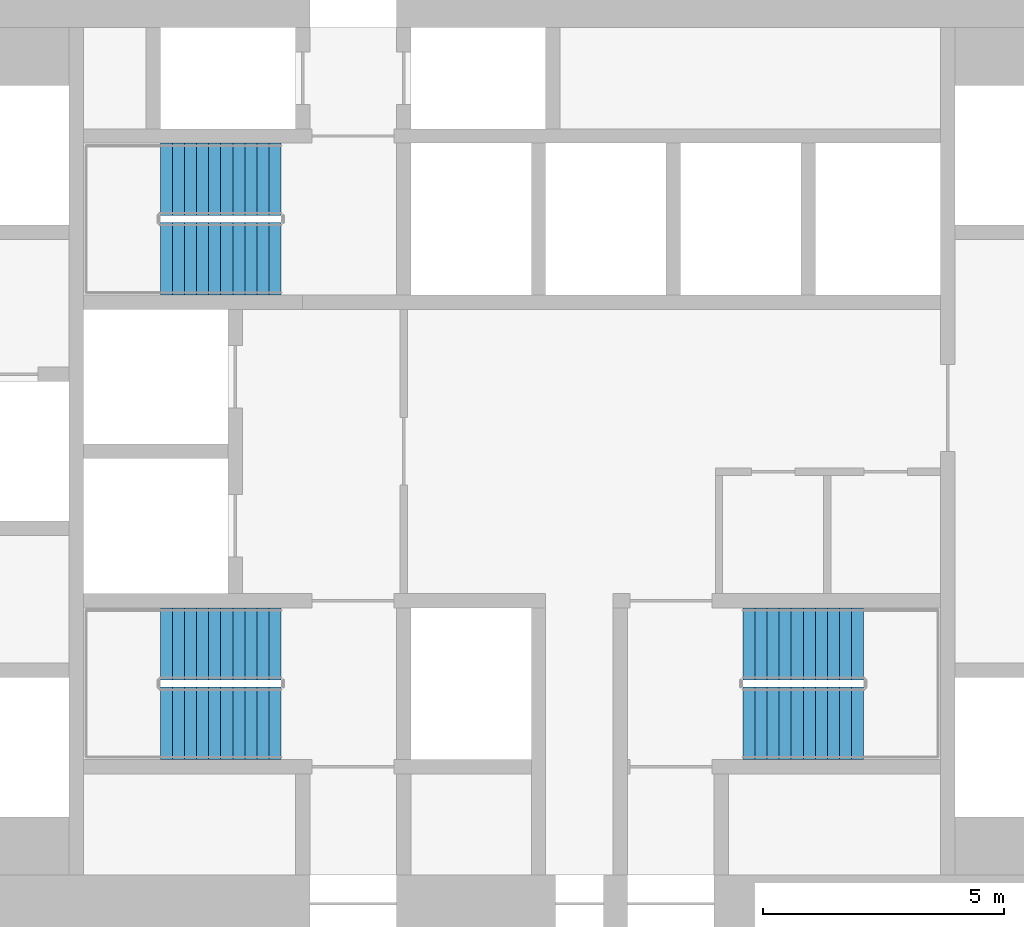
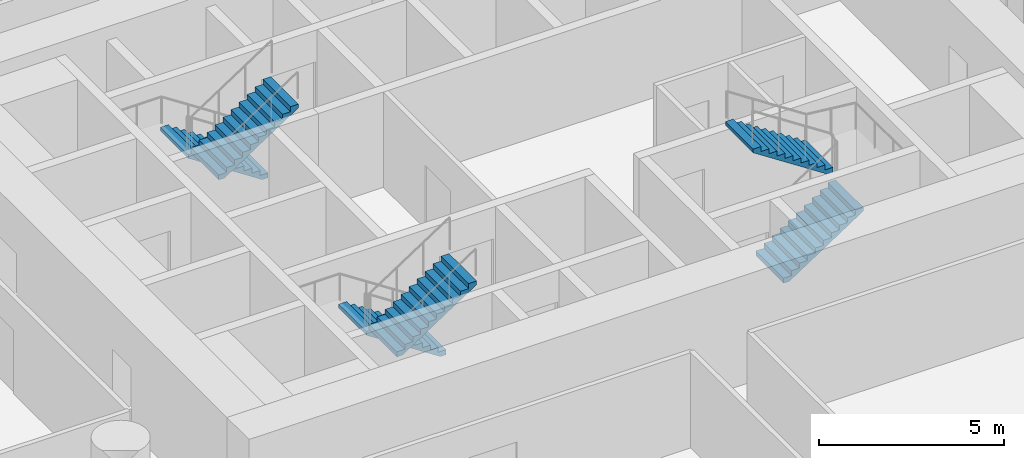
# One storey, part 11 of 12: 6 stair flights, 3 elements without a shape of their own.
"""IFC4 building model written with IfcOpenShell, lengths in metres."""

from ifc_helpers import new_model, si_unit, direction, frame, origin, place, context, subcontext, project, spatial, polyline, outline, extrude, material, type_object, element, aggregate, save


model = new_model("IFC4")

# Units and contexts
model_context = context("Model", 3, precision=1e-05, world=origin(), true_north=direction((0.0, 1.0)))
body_context = subcontext(model_context, "Body", "Model", "MODEL_VIEW")
ifc_project = project(units=[si_unit("LENGTHUNIT", "METRE"), si_unit("AREAUNIT", "SQUARE_METRE"), si_unit("VOLUMEUNIT", "CUBIC_METRE"), si_unit("PLANEANGLEUNIT", "RADIAN"), si_unit("MASSUNIT", "GRAM", prefix="KILO")], contexts=[model_context])

# Site, building, storey
site_placement = place(None, origin())
site = spatial("IfcSite", under=ifc_project, at=site_placement, CompositionType="ELEMENT")
building_placement = place(site_placement, origin())
building = spatial("IfcBuilding", under=site, at=building_placement, Name="Tracery Tower", CompositionType="ELEMENT")
storey_placement = place(building_placement, frame((0.0, 0.0, 35.39990234375)))
storey = spatial("IfcBuildingStorey", under=building, at=storey_placement, Name="L07", CompositionType="ELEMENT", Elevation=35.39990234375)

# Stair, stair flights
ifc_material_1 = material(Name="Concrete C32/40", Category="concrete")
stair_type = type_object("IfcStairType", Name="Core stair 22 risers", PredefinedType="HALF_TURN_STAIR", material=ifc_material_1)
stair_1_placement = place(storey_placement, origin())
stair_1 = element("IfcStair", 1, at=stair_1_placement, inside=storey, type_object=stair_type, Name="L07 stair ST1", PredefinedType="HALF_TURN_STAIR")
ifc_material_2 = material(Name="Concrete C32/40", Category="concrete")
stair_flight_type = type_object("IfcStairFlightType", Name="Core stair flight 11 risers", PredefinedType="STRAIGHT", material=ifc_material_2)
stair_flight_1_placement = place(storey_placement, frame((-4.800048828125, -4.0, 0.0), z_axis=(0.0, 0.0, 1.0), x_axis=(-1.0, 0.0, 0.0)))
stair_flight_1 = element("IfcStairFlight", 2, at=stair_flight_1_placement, type_object=stair_flight_type, Name="ST1 flight 1", NumberOfRisers=11, NumberOfTreads=10, PredefinedType="STRAIGHT", RiserHeight=0.163636364, TreadLength=0.25, context=body_context, shape_type="SweptSolid", body=[
    extrude(outline(polyline([(0.0, 0.0), (0.0, 0.002685546875), (0.0, 0.00537109375), (0.0, 0.008056640625), (0.0, 0.0107421875), (0.0, 0.013427734375), (0.0, 0.01611328125), (0.0, 0.018798828125), (0.0, 0.021484375), (0.0, 0.024169921875), (0.0, 0.02685546875), (0.0, 0.029541015625), (0.0, 0.0322265625), (0.0, 0.034912109375), (0.0, 0.03759765625), (0.0, 0.040283203125), (0.0, 0.04296875), (0.0, 0.045654296875), (0.0, 0.04833984375), (0.0, 0.051025390625), (0.0, 0.0537109375), (0.0, 0.056396484375), (0.0, 0.05908203125), (0.0, 0.061767578125), (0.0, 0.064453125), (0.0, 0.067138671875), (0.0, 0.06982421875), (0.0, 0.072509765625), (0.0, 0.0751953125), (0.0, 0.077880859375), (0.0, 0.08056640625), (0.0, 0.083251953125), (0.0, 0.0859375), (0.0, 0.088623046875), (0.0, 0.09130859375), (0.0, 0.093994140625), (0.0, 0.0966796875), (0.0, 0.099365234375), (0.0, 0.10205078125), (0.0, 0.104736328125), (0.0, 0.107421875), (0.0, 0.10986328125), (0.0, 0.112548828125), (0.0, 0.115234375), (0.0, 0.117919921875), (0.0, 0.12060546875), (0.0, 0.123291015625), (0.0, 0.1259765625), (0.0, 0.128662109375), (0.0, 0.13134765625), (0.0, 0.134033203125), (0.0, 0.13671875), (0.0, 0.139404296875), (0.0, 0.14208984375), (0.0, 0.144775390625), (0.0, 0.1474609375), (0.0, 0.150146484375), (0.0, 0.15283203125), (0.0, 0.155517578125), (0.0, 0.158203125), (0.0, 0.160888671875), (0.0, 0.16357421875), (0.25, 0.16357421875), (0.25, 0.327392578125), (0.5, 0.327392578125), (0.5, 0.490966796875), (0.75, 0.490966796875), (0.75, 0.654541015625), (1.0, 0.654541015625), (1.0, 0.818115234375), (1.25, 0.818115234375), (1.25, 0.98193359375), (1.5, 0.98193359375), (1.5, 1.1455078125), (1.75, 1.1455078125), (1.75, 1.30908203125), (2.0, 1.30908203125), (2.0, 1.47265625), (2.25, 1.47265625), (2.25, 1.636474609375), (2.5, 1.636474609375), (2.5, 1.634521484375), (2.5, 1.63232421875), (2.5, 1.63037109375), (2.5, 1.62841796875), (2.5, 1.62646484375), (2.5, 1.62451171875), (2.5, 1.62255859375), (2.5, 1.62060546875), (2.5, 1.61865234375), (2.5, 1.61669921875), (2.5, 1.61474609375), (2.5, 1.61279296875), (2.5, 1.61083984375), (2.5, 1.60888671875), (2.5, 1.60693359375), (2.5, 1.60498046875), (2.5, 1.60302734375), (2.5, 1.60107421875), (2.5, 1.59912109375), (2.5, 1.59716796875), (2.5, 1.59521484375), (2.5, 1.59326171875), (2.5, 1.59130859375), (2.5, 1.58935546875), (2.5, 1.58740234375), (2.5, 1.58544921875), (2.5, 1.58349609375), (2.5, 1.58154296875), (2.5, 1.57958984375), (2.5, 1.57763671875), (2.5, 1.57568359375), (2.5, 1.573486328125), (2.5, 1.571533203125), (2.5, 1.569580078125), (2.5, 1.567626953125), (2.5, 1.565673828125), (2.5, 1.563720703125), (2.5, 1.561767578125), (2.5, 1.559814453125), (2.5, 1.557861328125), (2.5, 1.555908203125), (2.5, 1.553955078125), (2.5, 1.552001953125), (2.5, 1.550048828125), (2.5, 1.548095703125), (2.5, 1.546142578125), (2.5, 1.544189453125), (2.5, 1.542236328125), (2.5, 1.540283203125), (2.5, 1.538330078125), (2.5, 1.536376953125), (2.5, 1.534423828125), (2.5, 1.532470703125), (2.5, 1.530517578125), (2.5, 1.528564453125), (2.5, 1.526611328125), (2.5, 1.524658203125), (2.5, 1.522705078125), (2.5, 1.520751953125), (2.5, 1.518798828125), (2.5, 1.516845703125), (0.182861328125, 0.0), (0.0, 0.0)])), frame((0.0, 0.75, 0.0), z_axis=(0.0, -1.0, 0.0), x_axis=(1.0, 0.0, 0.0)), (0.0, 0.0, 1.0), 1.5),
])
stair_flight_2_placement = place(storey_placement, frame((-7.300048828125, -5.64990234375, 1.800048828125), z_axis=(0.0, 0.0, 1.0), x_axis=(1.0, 0.0, 0.0)))
stair_flight_2 = element("IfcStairFlight", 3, at=stair_flight_2_placement, type_object=stair_flight_type, Name="ST1 flight 2", NumberOfRisers=11, NumberOfTreads=10, PredefinedType="STRAIGHT", RiserHeight=0.163636364, TreadLength=0.25, context=body_context, shape_type="SweptSolid", body=[
    extrude(outline(polyline([(0.0, 0.0), (0.0, 0.002685546875), (0.0, 0.00537109375), (0.0, 0.008056640625), (0.0, 0.0107421875), (0.0, 0.013427734375), (0.0, 0.01611328125), (0.0, 0.018798828125), (0.0, 0.021484375), (0.0, 0.024169921875), (0.0, 0.02685546875), (0.0, 0.029541015625), (0.0, 0.0322265625), (0.0, 0.034912109375), (0.0, 0.03759765625), (0.0, 0.040283203125), (0.0, 0.04296875), (0.0, 0.045654296875), (0.0, 0.04833984375), (0.0, 0.051025390625), (0.0, 0.0537109375), (0.0, 0.056396484375), (0.0, 0.05908203125), (0.0, 0.061767578125), (0.0, 0.064453125), (0.0, 0.067138671875), (0.0, 0.06982421875), (0.0, 0.072509765625), (0.0, 0.0751953125), (0.0, 0.077880859375), (0.0, 0.08056640625), (0.0, 0.083251953125), (0.0, 0.0859375), (0.0, 0.088623046875), (0.0, 0.09130859375), (0.0, 0.093994140625), (0.0, 0.0966796875), (0.0, 0.099365234375), (0.0, 0.10205078125), (0.0, 0.104736328125), (0.0, 0.107421875), (0.0, 0.10986328125), (0.0, 0.112548828125), (0.0, 0.115234375), (0.0, 0.117919921875), (0.0, 0.12060546875), (0.0, 0.123291015625), (0.0, 0.1259765625), (0.0, 0.128662109375), (0.0, 0.13134765625), (0.0, 0.134033203125), (0.0, 0.13671875), (0.0, 0.139404296875), (0.0, 0.14208984375), (0.0, 0.144775390625), (0.0, 0.1474609375), (0.0, 0.150146484375), (0.0, 0.15283203125), (0.0, 0.155517578125), (0.0, 0.158203125), (0.0, 0.160888671875), (0.0, 0.16357421875), (0.25, 0.16357421875), (0.25, 0.327392578125), (0.5, 0.327392578125), (0.5, 0.490966796875), (0.75, 0.490966796875), (0.75, 0.654541015625), (1.0, 0.654541015625), (1.0, 0.818115234375), (1.25, 0.818115234375), (1.25, 0.98193359375), (1.5, 0.98193359375), (1.5, 1.1455078125), (1.75, 1.1455078125), (1.75, 1.30908203125), (2.0, 1.30908203125), (2.0, 1.47265625), (2.25, 1.47265625), (2.25, 1.636474609375), (2.5, 1.636474609375), (2.5, 1.634521484375), (2.5, 1.63232421875), (2.5, 1.63037109375), (2.5, 1.62841796875), (2.5, 1.62646484375), (2.5, 1.62451171875), (2.5, 1.62255859375), (2.5, 1.62060546875), (2.5, 1.61865234375), (2.5, 1.61669921875), (2.5, 1.61474609375), (2.5, 1.61279296875), (2.5, 1.61083984375), (2.5, 1.60888671875), (2.5, 1.60693359375), (2.5, 1.60498046875), (2.5, 1.60302734375), (2.5, 1.60107421875), (2.5, 1.59912109375), (2.5, 1.59716796875), (2.5, 1.59521484375), (2.5, 1.59326171875), (2.5, 1.59130859375), (2.5, 1.58935546875), (2.5, 1.58740234375), (2.5, 1.58544921875), (2.5, 1.58349609375), (2.5, 1.58154296875), (2.5, 1.57958984375), (2.5, 1.57763671875), (2.5, 1.57568359375), (2.5, 1.573486328125), (2.5, 1.571533203125), (2.5, 1.569580078125), (2.5, 1.567626953125), (2.5, 1.565673828125), (2.5, 1.563720703125), (2.5, 1.561767578125), (2.5, 1.559814453125), (2.5, 1.557861328125), (2.5, 1.555908203125), (2.5, 1.553955078125), (2.5, 1.552001953125), (2.5, 1.550048828125), (2.5, 1.548095703125), (2.5, 1.546142578125), (2.5, 1.544189453125), (2.5, 1.542236328125), (2.5, 1.540283203125), (2.5, 1.538330078125), (2.5, 1.536376953125), (2.5, 1.534423828125), (2.5, 1.532470703125), (2.5, 1.530517578125), (2.5, 1.528564453125), (2.5, 1.526611328125), (2.5, 1.524658203125), (2.5, 1.522705078125), (2.5, 1.520751953125), (2.5, 1.518798828125), (2.5, 1.516845703125), (0.182861328125, 0.0), (0.0, 0.0)])), frame((0.0, 0.75, 0.0), z_axis=(0.0, -1.0, 0.0), x_axis=(1.0, 0.0, 0.0)), (0.0, 0.0, 1.0), 1.5),
])
aggregate(stair_1, [stair_flight_1, stair_flight_2])

stair_2_placement = place(storey_placement, origin())
stair_2 = element("IfcStair", 4, at=stair_2_placement, inside=storey, type_object=stair_type, Name="L07 stair ST3", PredefinedType="HALF_TURN_STAIR")
stair_flight_3_placement = place(storey_placement, frame((-4.800048828125, 5.64990234375, 0.0), z_axis=(0.0, 0.0, 1.0), x_axis=(-1.0, 0.0, 0.0)))
stair_flight_3 = element("IfcStairFlight", 5, at=stair_flight_3_placement, type_object=stair_flight_type, Name="ST3 flight 1", NumberOfRisers=11, NumberOfTreads=10, PredefinedType="STRAIGHT", RiserHeight=0.163636364, TreadLength=0.25, context=body_context, shape_type="SweptSolid", body=[
    extrude(outline(polyline([(0.0, 0.0), (0.0, 0.002685546875), (0.0, 0.00537109375), (0.0, 0.008056640625), (0.0, 0.0107421875), (0.0, 0.013427734375), (0.0, 0.01611328125), (0.0, 0.018798828125), (0.0, 0.021484375), (0.0, 0.024169921875), (0.0, 0.02685546875), (0.0, 0.029541015625), (0.0, 0.0322265625), (0.0, 0.034912109375), (0.0, 0.03759765625), (0.0, 0.040283203125), (0.0, 0.04296875), (0.0, 0.045654296875), (0.0, 0.04833984375), (0.0, 0.051025390625), (0.0, 0.0537109375), (0.0, 0.056396484375), (0.0, 0.05908203125), (0.0, 0.061767578125), (0.0, 0.064453125), (0.0, 0.067138671875), (0.0, 0.06982421875), (0.0, 0.072509765625), (0.0, 0.0751953125), (0.0, 0.077880859375), (0.0, 0.08056640625), (0.0, 0.083251953125), (0.0, 0.0859375), (0.0, 0.088623046875), (0.0, 0.09130859375), (0.0, 0.093994140625), (0.0, 0.0966796875), (0.0, 0.099365234375), (0.0, 0.10205078125), (0.0, 0.104736328125), (0.0, 0.107421875), (0.0, 0.10986328125), (0.0, 0.112548828125), (0.0, 0.115234375), (0.0, 0.117919921875), (0.0, 0.12060546875), (0.0, 0.123291015625), (0.0, 0.1259765625), (0.0, 0.128662109375), (0.0, 0.13134765625), (0.0, 0.134033203125), (0.0, 0.13671875), (0.0, 0.139404296875), (0.0, 0.14208984375), (0.0, 0.144775390625), (0.0, 0.1474609375), (0.0, 0.150146484375), (0.0, 0.15283203125), (0.0, 0.155517578125), (0.0, 0.158203125), (0.0, 0.160888671875), (0.0, 0.16357421875), (0.25, 0.16357421875), (0.25, 0.327392578125), (0.5, 0.327392578125), (0.5, 0.490966796875), (0.75, 0.490966796875), (0.75, 0.654541015625), (1.0, 0.654541015625), (1.0, 0.818115234375), (1.25, 0.818115234375), (1.25, 0.98193359375), (1.5, 0.98193359375), (1.5, 1.1455078125), (1.75, 1.1455078125), (1.75, 1.30908203125), (2.0, 1.30908203125), (2.0, 1.47265625), (2.25, 1.47265625), (2.25, 1.636474609375), (2.5, 1.636474609375), (2.5, 1.634521484375), (2.5, 1.63232421875), (2.5, 1.63037109375), (2.5, 1.62841796875), (2.5, 1.62646484375), (2.5, 1.62451171875), (2.5, 1.62255859375), (2.5, 1.62060546875), (2.5, 1.61865234375), (2.5, 1.61669921875), (2.5, 1.61474609375), (2.5, 1.61279296875), (2.5, 1.61083984375), (2.5, 1.60888671875), (2.5, 1.60693359375), (2.5, 1.60498046875), (2.5, 1.60302734375), (2.5, 1.60107421875), (2.5, 1.59912109375), (2.5, 1.59716796875), (2.5, 1.59521484375), (2.5, 1.59326171875), (2.5, 1.59130859375), (2.5, 1.58935546875), (2.5, 1.58740234375), (2.5, 1.58544921875), (2.5, 1.58349609375), (2.5, 1.58154296875), (2.5, 1.57958984375), (2.5, 1.57763671875), (2.5, 1.57568359375), (2.5, 1.573486328125), (2.5, 1.571533203125), (2.5, 1.569580078125), (2.5, 1.567626953125), (2.5, 1.565673828125), (2.5, 1.563720703125), (2.5, 1.561767578125), (2.5, 1.559814453125), (2.5, 1.557861328125), (2.5, 1.555908203125), (2.5, 1.553955078125), (2.5, 1.552001953125), (2.5, 1.550048828125), (2.5, 1.548095703125), (2.5, 1.546142578125), (2.5, 1.544189453125), (2.5, 1.542236328125), (2.5, 1.540283203125), (2.5, 1.538330078125), (2.5, 1.536376953125), (2.5, 1.534423828125), (2.5, 1.532470703125), (2.5, 1.530517578125), (2.5, 1.528564453125), (2.5, 1.526611328125), (2.5, 1.524658203125), (2.5, 1.522705078125), (2.5, 1.520751953125), (2.5, 1.518798828125), (2.5, 1.516845703125), (0.182861328125, 0.0), (0.0, 0.0)])), frame((0.0, 0.75, 0.0), z_axis=(0.0, -1.0, 0.0), x_axis=(1.0, 0.0, 0.0)), (0.0, 0.0, 1.0), 1.5),
])
stair_flight_4_placement = place(storey_placement, frame((-7.300048828125, 4.0, 1.800048828125), z_axis=(0.0, 0.0, 1.0), x_axis=(1.0, 0.0, 0.0)))
stair_flight_4 = element("IfcStairFlight", 6, at=stair_flight_4_placement, type_object=stair_flight_type, Name="ST3 flight 2", NumberOfRisers=11, NumberOfTreads=10, PredefinedType="STRAIGHT", RiserHeight=0.163636364, TreadLength=0.25, context=body_context, shape_type="SweptSolid", body=[
    extrude(outline(polyline([(0.0, 0.0), (0.0, 0.002685546875), (0.0, 0.00537109375), (0.0, 0.008056640625), (0.0, 0.0107421875), (0.0, 0.013427734375), (0.0, 0.01611328125), (0.0, 0.018798828125), (0.0, 0.021484375), (0.0, 0.024169921875), (0.0, 0.02685546875), (0.0, 0.029541015625), (0.0, 0.0322265625), (0.0, 0.034912109375), (0.0, 0.03759765625), (0.0, 0.040283203125), (0.0, 0.04296875), (0.0, 0.045654296875), (0.0, 0.04833984375), (0.0, 0.051025390625), (0.0, 0.0537109375), (0.0, 0.056396484375), (0.0, 0.05908203125), (0.0, 0.061767578125), (0.0, 0.064453125), (0.0, 0.067138671875), (0.0, 0.06982421875), (0.0, 0.072509765625), (0.0, 0.0751953125), (0.0, 0.077880859375), (0.0, 0.08056640625), (0.0, 0.083251953125), (0.0, 0.0859375), (0.0, 0.088623046875), (0.0, 0.09130859375), (0.0, 0.093994140625), (0.0, 0.0966796875), (0.0, 0.099365234375), (0.0, 0.10205078125), (0.0, 0.104736328125), (0.0, 0.107421875), (0.0, 0.10986328125), (0.0, 0.112548828125), (0.0, 0.115234375), (0.0, 0.117919921875), (0.0, 0.12060546875), (0.0, 0.123291015625), (0.0, 0.1259765625), (0.0, 0.128662109375), (0.0, 0.13134765625), (0.0, 0.134033203125), (0.0, 0.13671875), (0.0, 0.139404296875), (0.0, 0.14208984375), (0.0, 0.144775390625), (0.0, 0.1474609375), (0.0, 0.150146484375), (0.0, 0.15283203125), (0.0, 0.155517578125), (0.0, 0.158203125), (0.0, 0.160888671875), (0.0, 0.16357421875), (0.25, 0.16357421875), (0.25, 0.327392578125), (0.5, 0.327392578125), (0.5, 0.490966796875), (0.75, 0.490966796875), (0.75, 0.654541015625), (1.0, 0.654541015625), (1.0, 0.818115234375), (1.25, 0.818115234375), (1.25, 0.98193359375), (1.5, 0.98193359375), (1.5, 1.1455078125), (1.75, 1.1455078125), (1.75, 1.30908203125), (2.0, 1.30908203125), (2.0, 1.47265625), (2.25, 1.47265625), (2.25, 1.636474609375), (2.5, 1.636474609375), (2.5, 1.634521484375), (2.5, 1.63232421875), (2.5, 1.63037109375), (2.5, 1.62841796875), (2.5, 1.62646484375), (2.5, 1.62451171875), (2.5, 1.62255859375), (2.5, 1.62060546875), (2.5, 1.61865234375), (2.5, 1.61669921875), (2.5, 1.61474609375), (2.5, 1.61279296875), (2.5, 1.61083984375), (2.5, 1.60888671875), (2.5, 1.60693359375), (2.5, 1.60498046875), (2.5, 1.60302734375), (2.5, 1.60107421875), (2.5, 1.59912109375), (2.5, 1.59716796875), (2.5, 1.59521484375), (2.5, 1.59326171875), (2.5, 1.59130859375), (2.5, 1.58935546875), (2.5, 1.58740234375), (2.5, 1.58544921875), (2.5, 1.58349609375), (2.5, 1.58154296875), (2.5, 1.57958984375), (2.5, 1.57763671875), (2.5, 1.57568359375), (2.5, 1.573486328125), (2.5, 1.571533203125), (2.5, 1.569580078125), (2.5, 1.567626953125), (2.5, 1.565673828125), (2.5, 1.563720703125), (2.5, 1.561767578125), (2.5, 1.559814453125), (2.5, 1.557861328125), (2.5, 1.555908203125), (2.5, 1.553955078125), (2.5, 1.552001953125), (2.5, 1.550048828125), (2.5, 1.548095703125), (2.5, 1.546142578125), (2.5, 1.544189453125), (2.5, 1.542236328125), (2.5, 1.540283203125), (2.5, 1.538330078125), (2.5, 1.536376953125), (2.5, 1.534423828125), (2.5, 1.532470703125), (2.5, 1.530517578125), (2.5, 1.528564453125), (2.5, 1.526611328125), (2.5, 1.524658203125), (2.5, 1.522705078125), (2.5, 1.520751953125), (2.5, 1.518798828125), (2.5, 1.516845703125), (0.182861328125, 0.0), (0.0, 0.0)])), frame((0.0, 0.75, 0.0), z_axis=(0.0, -1.0, 0.0), x_axis=(1.0, 0.0, 0.0)), (0.0, 0.0, 1.0), 1.5),
])
aggregate(stair_2, [stair_flight_3, stair_flight_4])

stair_3_placement = place(storey_placement, origin())
stair_3 = element("IfcStair", 7, at=stair_3_placement, inside=storey, type_object=stair_type, Name="L07 stair ST2", PredefinedType="HALF_TURN_STAIR")
stair_flight_5_placement = place(storey_placement, frame((4.800048828125, -5.64990234375, 0.0), z_axis=(0.0, 0.0, 1.0), x_axis=(1.0, 0.0, 0.0)))
stair_flight_5 = element("IfcStairFlight", 8, at=stair_flight_5_placement, type_object=stair_flight_type, Name="ST2 flight 1", NumberOfRisers=11, NumberOfTreads=10, PredefinedType="STRAIGHT", RiserHeight=0.163636364, TreadLength=0.25, context=body_context, shape_type="SweptSolid", body=[
    extrude(outline(polyline([(0.0, 0.0), (0.0, 0.002685546875), (0.0, 0.00537109375), (0.0, 0.008056640625), (0.0, 0.0107421875), (0.0, 0.013427734375), (0.0, 0.01611328125), (0.0, 0.018798828125), (0.0, 0.021484375), (0.0, 0.024169921875), (0.0, 0.02685546875), (0.0, 0.029541015625), (0.0, 0.0322265625), (0.0, 0.034912109375), (0.0, 0.03759765625), (0.0, 0.040283203125), (0.0, 0.04296875), (0.0, 0.045654296875), (0.0, 0.04833984375), (0.0, 0.051025390625), (0.0, 0.0537109375), (0.0, 0.056396484375), (0.0, 0.05908203125), (0.0, 0.061767578125), (0.0, 0.064453125), (0.0, 0.067138671875), (0.0, 0.06982421875), (0.0, 0.072509765625), (0.0, 0.0751953125), (0.0, 0.077880859375), (0.0, 0.08056640625), (0.0, 0.083251953125), (0.0, 0.0859375), (0.0, 0.088623046875), (0.0, 0.09130859375), (0.0, 0.093994140625), (0.0, 0.0966796875), (0.0, 0.099365234375), (0.0, 0.10205078125), (0.0, 0.104736328125), (0.0, 0.107421875), (0.0, 0.10986328125), (0.0, 0.112548828125), (0.0, 0.115234375), (0.0, 0.117919921875), (0.0, 0.12060546875), (0.0, 0.123291015625), (0.0, 0.1259765625), (0.0, 0.128662109375), (0.0, 0.13134765625), (0.0, 0.134033203125), (0.0, 0.13671875), (0.0, 0.139404296875), (0.0, 0.14208984375), (0.0, 0.144775390625), (0.0, 0.1474609375), (0.0, 0.150146484375), (0.0, 0.15283203125), (0.0, 0.155517578125), (0.0, 0.158203125), (0.0, 0.160888671875), (0.0, 0.16357421875), (0.25, 0.16357421875), (0.25, 0.327392578125), (0.5, 0.327392578125), (0.5, 0.490966796875), (0.75, 0.490966796875), (0.75, 0.654541015625), (1.0, 0.654541015625), (1.0, 0.818115234375), (1.25, 0.818115234375), (1.25, 0.98193359375), (1.5, 0.98193359375), (1.5, 1.1455078125), (1.75, 1.1455078125), (1.75, 1.30908203125), (2.0, 1.30908203125), (2.0, 1.47265625), (2.25, 1.47265625), (2.25, 1.636474609375), (2.5, 1.636474609375), (2.5, 1.634521484375), (2.5, 1.63232421875), (2.5, 1.63037109375), (2.5, 1.62841796875), (2.5, 1.62646484375), (2.5, 1.62451171875), (2.5, 1.62255859375), (2.5, 1.62060546875), (2.5, 1.61865234375), (2.5, 1.61669921875), (2.5, 1.61474609375), (2.5, 1.61279296875), (2.5, 1.61083984375), (2.5, 1.60888671875), (2.5, 1.60693359375), (2.5, 1.60498046875), (2.5, 1.60302734375), (2.5, 1.60107421875), (2.5, 1.59912109375), (2.5, 1.59716796875), (2.5, 1.59521484375), (2.5, 1.59326171875), (2.5, 1.59130859375), (2.5, 1.58935546875), (2.5, 1.58740234375), (2.5, 1.58544921875), (2.5, 1.58349609375), (2.5, 1.58154296875), (2.5, 1.57958984375), (2.5, 1.57763671875), (2.5, 1.57568359375), (2.5, 1.573486328125), (2.5, 1.571533203125), (2.5, 1.569580078125), (2.5, 1.567626953125), (2.5, 1.565673828125), (2.5, 1.563720703125), (2.5, 1.561767578125), (2.5, 1.559814453125), (2.5, 1.557861328125), (2.5, 1.555908203125), (2.5, 1.553955078125), (2.5, 1.552001953125), (2.5, 1.550048828125), (2.5, 1.548095703125), (2.5, 1.546142578125), (2.5, 1.544189453125), (2.5, 1.542236328125), (2.5, 1.540283203125), (2.5, 1.538330078125), (2.5, 1.536376953125), (2.5, 1.534423828125), (2.5, 1.532470703125), (2.5, 1.530517578125), (2.5, 1.528564453125), (2.5, 1.526611328125), (2.5, 1.524658203125), (2.5, 1.522705078125), (2.5, 1.520751953125), (2.5, 1.518798828125), (2.5, 1.516845703125), (0.182861328125, 0.0), (0.0, 0.0)])), frame((0.0, 0.75, 0.0), z_axis=(0.0, -1.0, 0.0), x_axis=(1.0, 0.0, 0.0)), (0.0, 0.0, 1.0), 1.5),
])
stair_flight_6_placement = place(storey_placement, frame((7.300048828125, -4.0, 1.800048828125), z_axis=(0.0, 0.0, 1.0), x_axis=(-1.0, 0.0, 0.0)))
stair_flight_6 = element("IfcStairFlight", 9, at=stair_flight_6_placement, type_object=stair_flight_type, Name="ST2 flight 2", NumberOfRisers=11, NumberOfTreads=10, PredefinedType="STRAIGHT", RiserHeight=0.163636364, TreadLength=0.25, context=body_context, shape_type="SweptSolid", body=[
    extrude(outline(polyline([(0.0, 0.0), (0.0, 0.002685546875), (0.0, 0.00537109375), (0.0, 0.008056640625), (0.0, 0.0107421875), (0.0, 0.013427734375), (0.0, 0.01611328125), (0.0, 0.018798828125), (0.0, 0.021484375), (0.0, 0.024169921875), (0.0, 0.02685546875), (0.0, 0.029541015625), (0.0, 0.0322265625), (0.0, 0.034912109375), (0.0, 0.03759765625), (0.0, 0.040283203125), (0.0, 0.04296875), (0.0, 0.045654296875), (0.0, 0.04833984375), (0.0, 0.051025390625), (0.0, 0.0537109375), (0.0, 0.056396484375), (0.0, 0.05908203125), (0.0, 0.061767578125), (0.0, 0.064453125), (0.0, 0.067138671875), (0.0, 0.06982421875), (0.0, 0.072509765625), (0.0, 0.0751953125), (0.0, 0.077880859375), (0.0, 0.08056640625), (0.0, 0.083251953125), (0.0, 0.0859375), (0.0, 0.088623046875), (0.0, 0.09130859375), (0.0, 0.093994140625), (0.0, 0.0966796875), (0.0, 0.099365234375), (0.0, 0.10205078125), (0.0, 0.104736328125), (0.0, 0.107421875), (0.0, 0.10986328125), (0.0, 0.112548828125), (0.0, 0.115234375), (0.0, 0.117919921875), (0.0, 0.12060546875), (0.0, 0.123291015625), (0.0, 0.1259765625), (0.0, 0.128662109375), (0.0, 0.13134765625), (0.0, 0.134033203125), (0.0, 0.13671875), (0.0, 0.139404296875), (0.0, 0.14208984375), (0.0, 0.144775390625), (0.0, 0.1474609375), (0.0, 0.150146484375), (0.0, 0.15283203125), (0.0, 0.155517578125), (0.0, 0.158203125), (0.0, 0.160888671875), (0.0, 0.16357421875), (0.25, 0.16357421875), (0.25, 0.327392578125), (0.5, 0.327392578125), (0.5, 0.490966796875), (0.75, 0.490966796875), (0.75, 0.654541015625), (1.0, 0.654541015625), (1.0, 0.818115234375), (1.25, 0.818115234375), (1.25, 0.98193359375), (1.5, 0.98193359375), (1.5, 1.1455078125), (1.75, 1.1455078125), (1.75, 1.30908203125), (2.0, 1.30908203125), (2.0, 1.47265625), (2.25, 1.47265625), (2.25, 1.636474609375), (2.5, 1.636474609375), (2.5, 1.634521484375), (2.5, 1.63232421875), (2.5, 1.63037109375), (2.5, 1.62841796875), (2.5, 1.62646484375), (2.5, 1.62451171875), (2.5, 1.62255859375), (2.5, 1.62060546875), (2.5, 1.61865234375), (2.5, 1.61669921875), (2.5, 1.61474609375), (2.5, 1.61279296875), (2.5, 1.61083984375), (2.5, 1.60888671875), (2.5, 1.60693359375), (2.5, 1.60498046875), (2.5, 1.60302734375), (2.5, 1.60107421875), (2.5, 1.59912109375), (2.5, 1.59716796875), (2.5, 1.59521484375), (2.5, 1.59326171875), (2.5, 1.59130859375), (2.5, 1.58935546875), (2.5, 1.58740234375), (2.5, 1.58544921875), (2.5, 1.58349609375), (2.5, 1.58154296875), (2.5, 1.57958984375), (2.5, 1.57763671875), (2.5, 1.57568359375), (2.5, 1.573486328125), (2.5, 1.571533203125), (2.5, 1.569580078125), (2.5, 1.567626953125), (2.5, 1.565673828125), (2.5, 1.563720703125), (2.5, 1.561767578125), (2.5, 1.559814453125), (2.5, 1.557861328125), (2.5, 1.555908203125), (2.5, 1.553955078125), (2.5, 1.552001953125), (2.5, 1.550048828125), (2.5, 1.548095703125), (2.5, 1.546142578125), (2.5, 1.544189453125), (2.5, 1.542236328125), (2.5, 1.540283203125), (2.5, 1.538330078125), (2.5, 1.536376953125), (2.5, 1.534423828125), (2.5, 1.532470703125), (2.5, 1.530517578125), (2.5, 1.528564453125), (2.5, 1.526611328125), (2.5, 1.524658203125), (2.5, 1.522705078125), (2.5, 1.520751953125), (2.5, 1.518798828125), (2.5, 1.516845703125), (0.182861328125, 0.0), (0.0, 0.0)])), frame((0.0, 0.75, 0.0), z_axis=(0.0, -1.0, 0.0), x_axis=(1.0, 0.0, 0.0)), (0.0, 0.0, 1.0), 1.5),
])
aggregate(stair_3, [stair_flight_5, stair_flight_6])

save(model, "model.ifc")
